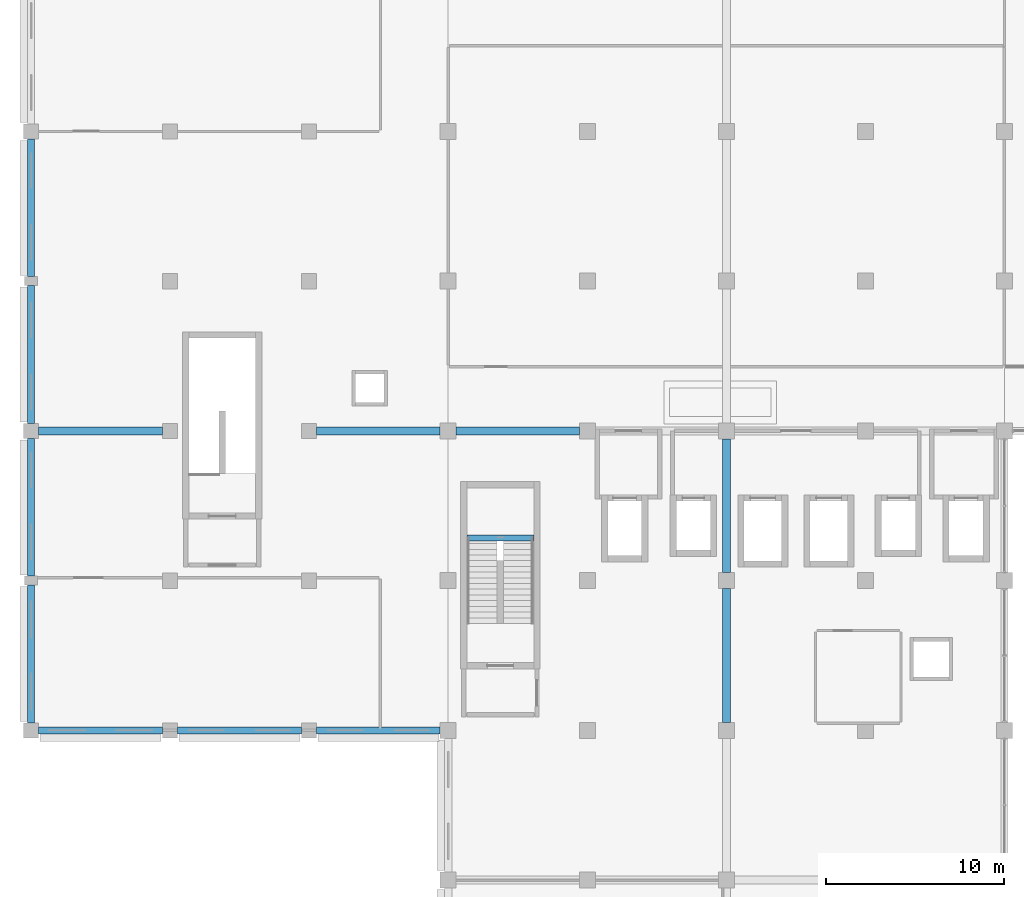
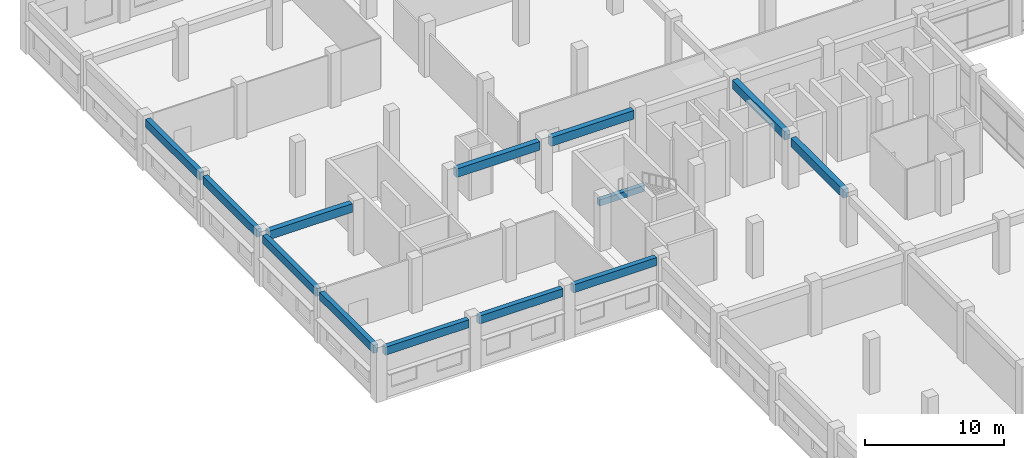
# One storey, part 6 of 79: 13 beams.
"""IFC4 building model written with IfcOpenShell, lengths in metres."""

from ifc_helpers import new_model, si_unit, direction, frame, origin, origin_2d, place, context, subcontext, project, spatial, rectangle, extrude, material, material_profile, profile_set, type_object, element, save


model = new_model("IFC4")

# Units and contexts
model_context = context("Model", 3, precision=1e-05, world=origin(), true_north=direction((0.0, 1.0)))
body_context = subcontext(model_context, "Body", "Model", "MODEL_VIEW")
ifc_project = project(units=[si_unit("LENGTHUNIT", "METRE"), si_unit("AREAUNIT", "SQUARE_METRE"), si_unit("VOLUMEUNIT", "CUBIC_METRE"), si_unit("PLANEANGLEUNIT", "RADIAN"), si_unit("MASSUNIT", "GRAM", prefix="KILO"), si_unit("THERMODYNAMICTEMPERATUREUNIT", "KELVIN"), si_unit("POWERUNIT", "WATT")], contexts=[model_context])

# Site, building, storey
site_placement = place(None, origin())
site = spatial("IfcSite", under=ifc_project, at=site_placement, CompositionType="ELEMENT")
building_placement = place(site_placement, origin())
building = spatial("IfcBuilding", under=site, at=building_placement, Name="Srebrne Nadtorze General Hospital", CompositionType="ELEMENT")
storey_placement = place(building_placement, frame((0.0, 0.0, 4.800048828125)))
storey = spatial("IfcBuildingStorey", under=building, at=storey_placement, Name="L01", CompositionType="ELEMENT", Elevation=4.800048828125)

# Beams
ifc_material_1 = material(Name="Concrete C40/50", Category="concrete")
ifc_material_profile_1 = material_profile(ifc_material_1, rectangle(XDim=0.39990234375, YDim=0.699951171875, at=origin_2d()), Name="RC-BM-400x700")
ifc_profile_set_1 = profile_set([ifc_material_profile_1], Name="Concrete C40/50")
beam_type_1 = type_object("IfcBeamType", Name="Edge beam RC 400x700", PredefinedType="BEAM", material=ifc_profile_set_1)
for number, where, z_axis, x_axis, name in (
    (1, (0.425048828125, 33.60009765625, 4.099853515625), (1.0, 0.0, 0.0), (0.0, 1.0, 0.0), "Beam BM-L01-X-0400"),
    (2, (8.22509765625, 33.60009765625, 4.099853515625), (1.0, 0.0, 0.0), (0.0, 1.0, 0.0), "Beam BM-L01-X-0401"),
):
    element("IfcBeam", number, at=place(storey_placement, frame(where, z_axis=z_axis, x_axis=x_axis)), inside=storey, type_object=beam_type_1, Name=name, PredefinedType="BEAM", context=body_context, shape_type="SweptSolid", body=[
        extrude(rectangle(XDim=0.39990234375, YDim=0.699951171875, at=origin_2d()), origin(), (0.0, 0.0, 1.0), 6.949951171875),
    ])
beam_1_placement = place(storey_placement, frame((16.02490234375, 33.60009765625, 4.099853515625), z_axis=(1.0, 0.0, 0.0), x_axis=(0.0, 1.0, 0.0)))
element("IfcBeam", 3, at=beam_1_placement, inside=storey, type_object=beam_type_1, Name="Beam BM-L01-X-0402", PredefinedType="BEAM", context=body_context, shape_type="SweptSolid", body=[
    extrude(rectangle(XDim=0.39990234375, YDim=0.699951171875, at=origin_2d()), origin(), (0.0, 0.0, 1.0), 6.925048828125),
])
for number, where, z_axis, x_axis, name in (
    (4, (0.0, 34.02490234375, 4.099853515625), (0.0, 1.0, 0.0), (-1.0, 0.0, 0.0), "Beam BM-L01-Y-0465"),
    (5, (0.0, 42.25, 4.099853515625), (0.0, 1.0, 0.0), (-1.0, 0.0, 0.0), "Beam BM-L01-Y-0466"),
    (6, (0.0, 50.824951171875, 4.099853515625), (0.0, 1.0, 0.0), (-1.0, 0.0, 0.0), "Beam BM-L01-Y-0467"),
):
    element("IfcBeam", number, at=place(storey_placement, frame(where, z_axis=z_axis, x_axis=x_axis)), inside=storey, type_object=beam_type_1, Name=name, PredefinedType="BEAM", context=body_context, shape_type="SweptSolid", body=[
        extrude(rectangle(XDim=0.39990234375, YDim=0.699951171875, at=origin_2d()), origin(), (0.0, 0.0, 1.0), 7.72509765625),
    ])
beam_2_placement = place(storey_placement, frame((0.0, 59.050048828125, 4.099853515625), z_axis=(0.0, 1.0, 0.0), x_axis=(-1.0, 0.0, 0.0)))
element("IfcBeam", 7, at=beam_2_placement, inside=storey, type_object=beam_type_1, Name="Beam BM-L01-Y-0468", PredefinedType="BEAM", context=body_context, shape_type="SweptSolid", body=[
    extrude(rectangle(XDim=0.39990234375, YDim=0.699951171875, at=origin_2d()), origin(), (0.0, 0.0, 1.0), 7.724853515625),
])
ifc_material_2 = material(Name="Concrete C40/50", Category="concrete")
ifc_material_profile_2 = material_profile(ifc_material_2, rectangle(XDim=0.449951171875, YDim=0.75, at=origin_2d()), Name="RC-BM-450x750")
ifc_profile_set_2 = profile_set([ifc_material_profile_2], Name="Concrete C40/50")
beam_type_2 = type_object("IfcBeamType", Name="Primary beam RC 450x750", PredefinedType="BEAM", material=ifc_profile_set_2)
beam_3_placement = place(storey_placement, frame((0.425048828125, 50.39990234375, 4.074951171875), z_axis=(1.0, 0.0, 0.0), x_axis=(0.0, 1.0, 0.0)))
element("IfcBeam", 8, at=beam_3_placement, inside=storey, type_object=beam_type_2, Name="Beam BM-L01-X-0406", PredefinedType="BEAM", context=body_context, shape_type="SweptSolid", body=[
    extrude(rectangle(XDim=0.449951171875, YDim=0.75, at=origin_2d()), origin(), (0.0, 0.0, 1.0), 6.949951171875),
])
beam_4_placement = place(storey_placement, frame((16.02490234375, 50.39990234375, 4.074951171875), z_axis=(1.0, 0.0, 0.0), x_axis=(0.0, 1.0, 0.0)))
element("IfcBeam", 9, at=beam_4_placement, inside=storey, type_object=beam_type_2, Name="Beam BM-L01-X-0407", PredefinedType="BEAM", context=body_context, shape_type="SweptSolid", body=[
    extrude(rectangle(XDim=0.449951171875, YDim=0.75, at=origin_2d()), origin(), (0.0, 0.0, 1.0), 6.925048828125),
])
beam_5_placement = place(storey_placement, frame((23.85009765625, 50.39990234375, 4.074951171875), z_axis=(1.0, 0.0, 0.0), x_axis=(0.0, 1.0, 0.0)))
element("IfcBeam", 10, at=beam_5_placement, inside=storey, type_object=beam_type_2, Name="Beam BM-L01-X-0408", PredefinedType="BEAM", context=body_context, shape_type="SweptSolid", body=[
    extrude(rectangle(XDim=0.449951171875, YDim=0.75, at=origin_2d()), origin(), (0.0, 0.0, 1.0), 6.89990234375),
])
for number, where, z_axis, x_axis, name in (
    (11, (39.0, 34.050048828125, 4.074951171875), (0.0, 1.0, 0.0), (-1.0, 0.0, 0.0), "Beam BM-L01-Y-0483"),
    (12, (39.0, 42.449951171875, 4.074951171875), (0.0, 1.0, 0.0), (-1.0, 0.0, 0.0), "Beam BM-L01-Y-0484"),
):
    element("IfcBeam", number, at=place(storey_placement, frame(where, z_axis=z_axis, x_axis=x_axis)), inside=storey, type_object=beam_type_2, Name=name, PredefinedType="BEAM", context=body_context, shape_type="SweptSolid", body=[
        extrude(rectangle(XDim=0.449951171875, YDim=0.75, at=origin_2d()), origin(), (0.0, 0.0, 1.0), 7.5),
    ])
ifc_material_3 = material(Name="Concrete C35/45", Category="concrete")
ifc_material_profile_3 = material_profile(ifc_material_3, rectangle(XDim=0.35009765625, YDim=0.550048828125, at=origin_2d()), Name="RC-BM-350x550")
ifc_profile_set_3 = profile_set([ifc_material_profile_3], Name="Concrete C35/45")
beam_type_3 = type_object("IfcBeamType", Name="Spandrel lintel beam RC 350x550", PredefinedType="LINTEL", material=ifc_profile_set_3)
beam_6_placement = place(storey_placement, frame((24.449951171875, 44.39990234375, 2.125), z_axis=(1.0, 0.0, 0.0), x_axis=(0.0, 1.0, 0.0)))
element("IfcBeam", 13, at=beam_6_placement, inside=storey, type_object=beam_type_3, Name="Stair landing header beam ST-01 L01", PredefinedType="LINTEL", context=body_context, shape_type="SweptSolid", body=[
    extrude(rectangle(XDim=0.35009765625, YDim=0.550048828125, at=origin_2d()), origin(), (0.0, 0.0, 1.0), 3.75),
])

save(model, "model.ifc")
